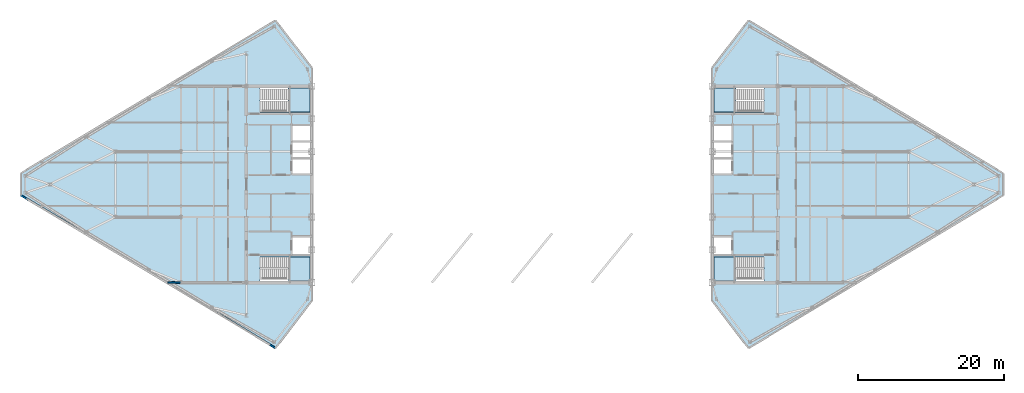
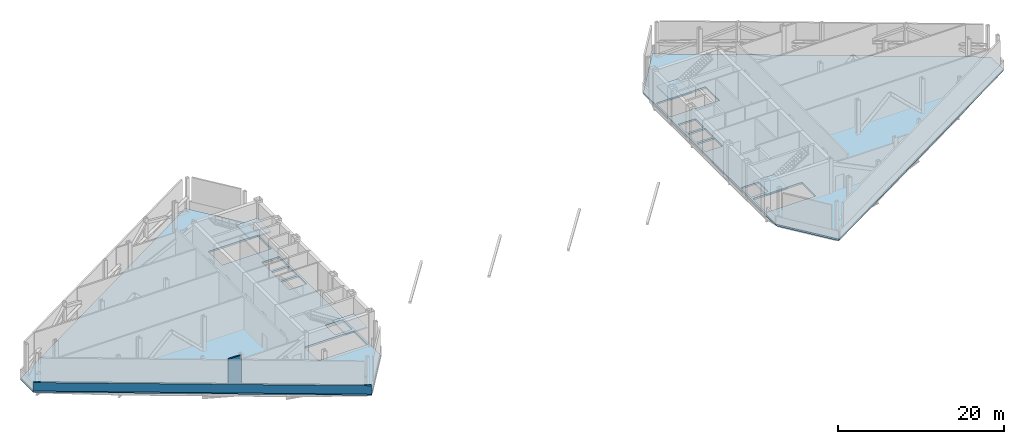
# One storey, part 7 of 13: 6 slabs, 2 walls, 4 elements without a shape of their own.
"""IFC4 building model written with IfcOpenShell, lengths in metres."""

from ifc_helpers import new_model, si_unit, direction, frame, frame_2d, origin, place, context, subcontext, project, spatial, polyline, rectangle, outline, extrude, material, layer, layer_set, type_object, element, aggregate, save


model = new_model("IFC4")

# Units and contexts
model_context = context("Model", 3, precision=1e-05, world=origin(), true_north=direction((0.0, 1.0)))
body_context = subcontext(model_context, "Body", "Model", "MODEL_VIEW")
ifc_project = project(units=[si_unit("LENGTHUNIT", "METRE"), si_unit("AREAUNIT", "SQUARE_METRE"), si_unit("VOLUMEUNIT", "CUBIC_METRE"), si_unit("PLANEANGLEUNIT", "RADIAN"), si_unit("MASSUNIT", "GRAM", prefix="KILO")], contexts=[model_context])

# Site, building, storey
site_placement = place(None, origin())
site = spatial("IfcSite", under=ifc_project, at=site_placement, CompositionType="ELEMENT")
building_placement = place(site_placement, origin())
building = spatial("IfcBuilding", under=site, at=building_placement, Name="Seokmaru Belvedere", CompositionType="ELEMENT")
storey_placement = place(building_placement, frame((0.0, 0.0, 224.699951171875)))
storey = spatial("IfcBuildingStorey", under=building, at=storey_placement, Name="L60", CompositionType="ELEMENT", Elevation=224.699951171875)

# Slabs
ifc_material_1 = material(Name="Concrete C50 (50 MPa)", Category="concrete")
ifc_layer_1 = layer(ifc_material_1, 0.260009765625)
ifc_layer_set_1 = layer_set([ifc_layer_1], Name="Concrete C50 (50 MPa)")
slab_type_1 = type_object("IfcSlabType", Name="Refuge and Sky-Gate Heavy Floor Slab 260", PredefinedType="FLOOR", material=ifc_layer_set_1)
slab_1_placement = place(storey_placement, frame((0.0, 0.0, -0.260009765625)))
element("IfcSlab", 1, at=slab_1_placement, inside=storey, type_object=slab_type_1, Name="L60 West Leg Floor Slab", PredefinedType="FLOOR", context=body_context, shape_type="SweptSolid", body=[
    extrude(outline(polyline([(-27.5, -16.0), (-27.5, 16.0), (-32.5, 22.5), (-67.5, 1.5), (-67.5, -1.5), (-32.5, -22.5), (-27.5, -16.0)]), holes=[polyline([(-34.60009765625, -13.25), (-27.75, -13.25), (-27.75, -9.949951171875), (-34.60009765625, -9.949951171875), (-34.60009765625, -13.25)]), polyline([(-34.60009765625, 9.949951171875), (-27.75, 9.949951171875), (-27.75, 13.25), (-34.60009765625, 13.25), (-34.60009765625, 9.949951171875)]), polyline([(-30.14990234375, -9.550048828125), (-27.75, -9.550048828125), (-27.75, -7.25), (-30.14990234375, -7.25), (-30.14990234375, -9.550048828125)]), polyline([(-30.14990234375, 1.449951171875), (-27.75, 1.449951171875), (-27.75, 3.449951171875), (-30.14990234375, 3.449951171875), (-30.14990234375, 1.449951171875)]), polyline([(-30.14990234375, 3.75), (-27.75, 3.75), (-27.75, 5.75), (-30.14990234375, 5.75), (-30.14990234375, 3.75)]), polyline([(-30.14990234375, 6.050048828125), (-27.75, 6.050048828125), (-27.75, 8.050048828125), (-30.14990234375, 8.050048828125), (-30.14990234375, 6.050048828125)])]), origin(), (0.0, 0.0, 1.0), 0.260009765625),
])
slab_2_placement = place(storey_placement, frame((0.0, 0.0, -0.260009765625)))
element("IfcSlab", 2, at=slab_2_placement, inside=storey, type_object=slab_type_1, Name="L60 East Leg Floor Slab", PredefinedType="FLOOR", context=body_context, shape_type="SweptSolid", body=[
    extrude(outline(polyline([(32.5, -22.5), (67.5, -1.5), (67.5, 1.5), (32.5, 22.5), (27.5, 16.0), (27.5, -16.0), (32.5, -22.5)]), holes=[polyline([(27.75, -13.25), (34.60009765625, -13.25), (34.60009765625, -9.949951171875), (27.75, -9.949951171875), (27.75, -13.25)]), polyline([(27.75, 9.949951171875), (34.60009765625, 9.949951171875), (34.60009765625, 13.25), (27.75, 13.25), (27.75, 9.949951171875)]), polyline([(27.75, -9.550048828125), (30.14990234375, -9.550048828125), (30.14990234375, -7.25), (27.75, -7.25), (27.75, -9.550048828125)]), polyline([(27.75, 1.449951171875), (30.14990234375, 1.449951171875), (30.14990234375, 3.449951171875), (27.75, 3.449951171875), (27.75, 1.449951171875)]), polyline([(27.75, 3.75), (30.14990234375, 3.75), (30.14990234375, 5.75), (27.75, 5.75), (27.75, 3.75)]), polyline([(27.75, 6.050048828125), (30.14990234375, 6.050048828125), (30.14990234375, 8.050048828125), (27.75, 8.050048828125), (27.75, 6.050048828125)])]), origin(), (0.0, 0.0, 1.0), 0.260009765625),
])

# Stair, slab
ifc_material_2 = material(Name="Concrete C40 (40 MPa)", Category="concrete")
stair_type = type_object("IfcStairType", Name="Refuge Storey Core Dog-Leg Stair 5100", PredefinedType="TWO_STRAIGHT_RUN_STAIR", material=ifc_material_2)
stair_1_placement = place(storey_placement, origin())
stair_1 = element("IfcStair", 3, at=stair_1_placement, inside=storey, type_object=stair_type, Name="L60 Special Escape Stair ST-W1", PredefinedType="TWO_STRAIGHT_RUN_STAIR")
ifc_layer_2 = layer(ifc_material_2, 0.199951171875)
ifc_layer_set_2 = layer_set([ifc_layer_2], Name="Concrete C40 (40 MPa)")
slab_type_2 = type_object("IfcSlabType", Name="Reinforced Concrete Stair Landing Slab 200", PredefinedType="LANDING", material=ifc_layer_set_2)
slab_3_placement = place(storey_placement, frame((0.0, 0.0, 2.35009765625)))
slab_3 = element("IfcSlab", 4, at=slab_3_placement, type_object=slab_type_2, Name="ST-W1 landing 1", PredefinedType="LANDING", context=body_context, shape_type="SweptSolid", body=[
    extrude(outline(polyline([(-30.760009765625, -13.239990234375), (-27.760009765625, -13.239990234375), (-27.760009765625, -9.949951171875), (-30.760009765625, -9.949951171875), (-30.760009765625, -13.239990234375)])), origin(), (0.0, 0.0, 1.0), 0.199951171875),
])
aggregate(stair_1, [slab_3])

stair_2_placement = place(storey_placement, origin())
stair_2 = element("IfcStair", 5, at=stair_2_placement, inside=storey, type_object=stair_type, Name="L60 Special Escape Stair ST-W2", PredefinedType="TWO_STRAIGHT_RUN_STAIR")
slab_4_placement = place(storey_placement, frame((0.0, 0.0, 2.35009765625)))
slab_4 = element("IfcSlab", 6, at=slab_4_placement, type_object=slab_type_2, Name="ST-W2 landing 1", PredefinedType="LANDING", context=body_context, shape_type="SweptSolid", body=[
    extrude(outline(polyline([(-30.760009765625, 9.949951171875), (-27.760009765625, 9.949951171875), (-27.760009765625, 13.239990234375), (-30.760009765625, 13.239990234375), (-30.760009765625, 9.949951171875)])), origin(), (0.0, 0.0, 1.0), 0.199951171875),
])
aggregate(stair_2, [slab_4])

stair_3_placement = place(storey_placement, origin())
stair_3 = element("IfcStair", 7, at=stair_3_placement, inside=storey, type_object=stair_type, Name="L60 Special Escape Stair ST-E1", PredefinedType="TWO_STRAIGHT_RUN_STAIR")
slab_5_placement = place(storey_placement, frame((0.0, 0.0, 2.35009765625)))
slab_5 = element("IfcSlab", 8, at=slab_5_placement, type_object=slab_type_2, Name="ST-E1 landing 1", PredefinedType="LANDING", context=body_context, shape_type="SweptSolid", body=[
    extrude(outline(polyline([(27.760009765625, -13.239990234375), (30.760009765625, -13.239990234375), (30.760009765625, -9.949951171875), (27.760009765625, -9.949951171875), (27.760009765625, -13.239990234375)])), origin(), (0.0, 0.0, 1.0), 0.199951171875),
])
aggregate(stair_3, [slab_5])

stair_4_placement = place(storey_placement, origin())
stair_4 = element("IfcStair", 9, at=stair_4_placement, inside=storey, type_object=stair_type, Name="L60 Special Escape Stair ST-E2", PredefinedType="TWO_STRAIGHT_RUN_STAIR")
slab_6_placement = place(storey_placement, frame((0.0, 0.0, 2.35009765625)))
slab_6 = element("IfcSlab", 10, at=slab_6_placement, type_object=slab_type_2, Name="ST-E2 landing 1", PredefinedType="LANDING", context=body_context, shape_type="SweptSolid", body=[
    extrude(outline(polyline([(27.760009765625, 9.949951171875), (30.760009765625, 9.949951171875), (30.760009765625, 13.239990234375), (27.760009765625, 13.239990234375), (27.760009765625, 9.949951171875)])), origin(), (0.0, 0.0, 1.0), 0.199951171875),
])
aggregate(stair_4, [slab_6])

# Walls
ifc_material_3 = material(Name="Fire-Rated Gypsum Shaftwall")
ifc_layer_3 = layer(ifc_material_3, 0.199951171875)
ifc_layer_set_3 = layer_set([ifc_layer_3], Name="Fire-Rated Gypsum Shaftwall")
wall_type_1 = type_object("IfcWallType", Name="Inter-Tenancy Fire Compartment Partition 200", PredefinedType="PARTITIONING", material=ifc_layer_set_3)
wall_1_placement = place(storey_placement, frame((-47.276611328125, -13.5, 0.0), z_axis=(0.0, 0.0, 1.0), x_axis=(1.0, 0.0, 0.0)))
element("IfcWall", 11, at=wall_1_placement, inside=storey, type_object=wall_type_1, Name="L60 Interior Partition 001", PredefinedType="PARTITIONING", context=body_context, shape_type="SweptSolid", body=[
    extrude(rectangle(XDim=1.756591796875, YDim=0.199951171875, at=frame_2d((0.87841796875, 0.0))), origin(), (0.0, 0.0, 1.0), 4.840087890625),
])
ifc_layer_4 = layer(ifc_material_2, 0.219970703125)
ifc_layer_set_4 = layer_set([ifc_layer_4], Name="Concrete C40 (40 MPa)")
wall_type_2 = type_object("IfcWallType", Name="Refuge and Roof Concrete Parapet 220", PredefinedType="PARAPET", material=ifc_layer_set_4)
wall_2_placement = place(storey_placement, frame((-67.48291015625, -1.51025390625, 0.0), z_axis=(0.0, 0.0, 1.0), x_axis=(0.857492925713, -0.514495755428, 0.0)))
element("IfcWall", 12, at=wall_2_placement, inside=storey, type_object=wall_type_2, Name="L60 W Refuge Perimeter Parapet 5", PredefinedType="PARAPET", context=body_context, shape_type="SweptSolid", body=[
    extrude(rectangle(XDim=40.77685546875, YDim=0.219970703125, at=frame_2d((20.388427734375, 0.0))), origin(), (0.0, 0.0, 1.0), 1.25),
])

save(model, "model.ifc")
